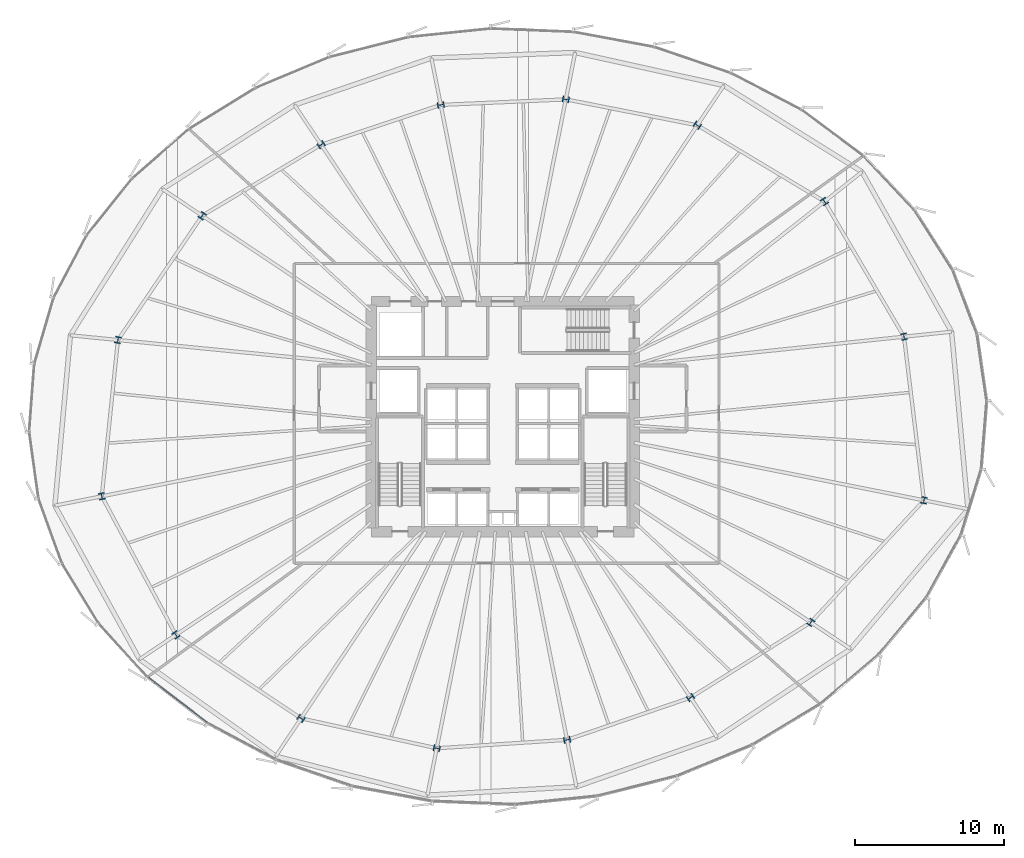
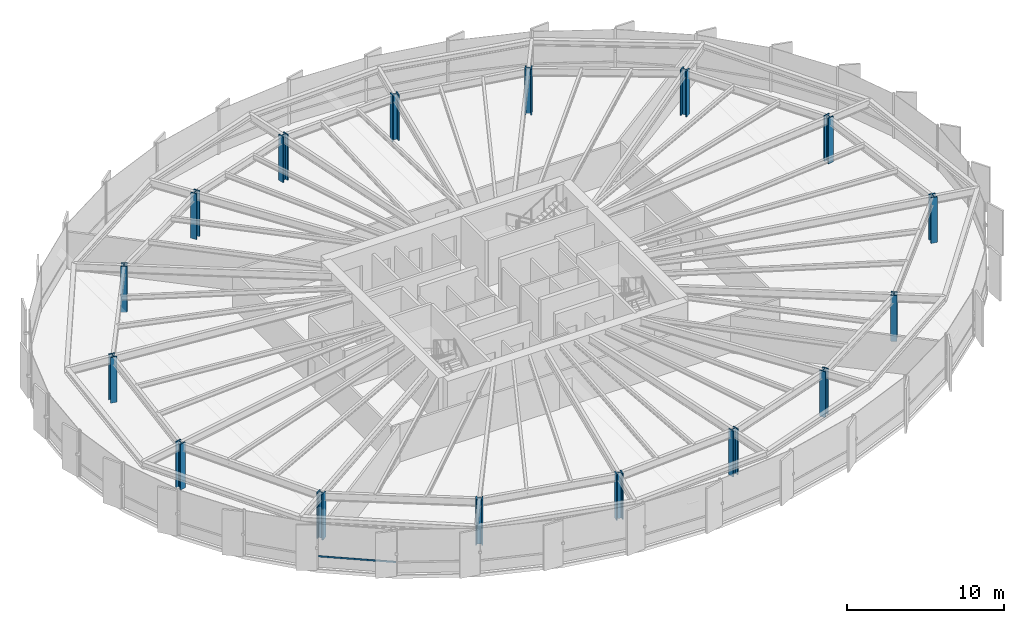
# One storey, part 1 of 42: 16 columns, 1 member, 1 element without a shape of its own.
"""IFC4 building model written with IfcOpenShell, lengths in metres."""

from ifc_helpers import new_model, si_unit, direction, frame, origin, origin_2d, place, context, subcontext, project, spatial, hollow_rectangle, i_section, extrude, source, transform, mapped, material, layer, layer_set, material_profile, profile_set, type_object, element, aggregate, save


model = new_model("IFC4")

# Units and contexts
model_context = context("Model", 3, precision=1e-05, world=origin(), true_north=direction((0.0, 1.0)))
body_context = subcontext(model_context, "Body", "Model", "MODEL_VIEW")
ifc_project = project(units=[si_unit("LENGTHUNIT", "METRE"), si_unit("AREAUNIT", "SQUARE_METRE"), si_unit("VOLUMEUNIT", "CUBIC_METRE"), si_unit("PLANEANGLEUNIT", "RADIAN"), si_unit("MASSUNIT", "GRAM", prefix="KILO"), si_unit("THERMODYNAMICTEMPERATUREUNIT", "KELVIN")], contexts=[model_context])

# Site, building, storey
site_placement = place(None, origin())
site = spatial("IfcSite", under=ifc_project, at=site_placement, CompositionType="ELEMENT")
building_placement = place(site_placement, origin())
building = spatial("IfcBuilding", under=site, at=building_placement, Name="Kethvar Cultural Tower", CompositionType="ELEMENT")
storey_placement = place(building_placement, frame((0.0, 0.0, 37.199951171875)))
storey = spatial("IfcBuildingStorey", under=building, at=storey_placement, Name="L08", CompositionType="ELEMENT", Elevation=37.199951171875)

# Columns
ifc_material_1 = material(Name="Steel S460M", Category="steel")
ifc_material_profile_1 = material_profile(ifc_material_1, i_section(OverallWidth=0.423095703125, OverallDepth=0.468994140625, WebThickness=0.051025390625, FlangeThickness=0.0810546875, FilletRadius=0.014892578125, at=origin_2d()), Name="Steel S460M — HD400x1086")
ifc_profile_set_1 = profile_set([ifc_material_profile_1], Name="Steel S460M — HD400x1086")
column_type = type_object("IfcColumnType", Name="COL-HD1086", PredefinedType="COLUMN", material=ifc_profile_set_1)
shared_shape_1 = source(origin(), body_context, "Body", "SweptSolid", [
    extrude(i_section(OverallWidth=0.423095703125, OverallDepth=0.468994140625, WebThickness=0.051025390625, FlangeThickness=0.0810546875, FilletRadius=0.014892578125, at=origin_2d()), origin(), (0.0, 0.0, 1.0), 3.550048828125),
])
for number, where, z_axis, x_axis, name in (
    (1, (73.65673828125, 33.14208984375, 0.0), (0.0, 0.0, 1.0), (0.980785280403, 0.195090322016, 0.0), "L08 Mega-Column MC-01"),
    (2, (68.33642578125, 42.190185546875, 0.0), (0.0, 0.0, 1.0), (0.831469612303, 0.55557023302, 0.0), "L08 Mega-Column MC-02"),
    (3, (59.824951171875, 47.293212890625, 0.0), (0.0, 0.0, 1.0), (0.55557023302, 0.831469612303, 0.0), "L08 Mega-Column MC-03"),
    (4, (51.022216796875, 49.02587890625, 0.0), (0.0, 0.0, 1.0), (0.195090322016, 0.980785280403, 0.0), "L08 Mega-Column MC-04"),
    (5, (42.651611328125, 48.65576171875, 0.0), (0.0, 0.0, 1.0), (-0.195090322016, 0.980785280403, 0.0), "L08 Mega-Column MC-05"),
    (6, (34.64599609375, 45.98974609375, 0.0), (0.0, 0.0, 1.0), (-0.55557023302, 0.831469612303, 0.0), "L08 Mega-Column MC-06"),
    (7, (26.6845703125, 41.24072265625, 0.0), (0.0, 0.0, 1.0), (-0.831469612303, 0.55557023302, 0.0), "L08 Mega-Column MC-07"),
    (8, (21.047119140625, 32.922607421875, 0.0), (0.0, 0.0, 1.0), (-0.980785280403, 0.195090322016, 0.0), "L08 Mega-Column MC-08"),
    (9, (19.9658203125, 22.46240234375, 0.0), (0.0, 0.0, 1.0), (-0.980785280403, -0.195090322016, 0.0), "L08 Mega-Column MC-09"),
    (10, (24.9248046875, 13.183349609375, 0.0), (0.0, 0.0, 1.0), (-0.831469612303, -0.55557023302, 0.0), "L08 Mega-Column MC-10"),
    (11, (33.302001953125, 7.598876953125, 0.0), (0.0, 0.0, 1.0), (-0.55557023302, -0.831469612303, 0.0), "L08 Mega-Column MC-11"),
    (12, (42.38330078125, 5.59619140625, 0.0), (0.0, 0.0, 1.0), (-0.195090322016, -0.980785280403, 0.0), "L08 Mega-Column MC-12"),
    (13, (51.10400390625, 6.16259765625, 0.0), (0.0, 0.0, 1.0), (0.195090322016, -0.980785280403, 0.0), "L08 Mega-Column MC-13"),
    (14, (59.370361328125, 8.987060546875, 0.0), (0.0, 0.0, 1.0), (0.55557023302, -0.831469612303, 0.0), "L08 Mega-Column MC-14"),
    (15, (67.41845703125, 14.023193359375, 0.0), (0.0, 0.0, 1.0), (0.831469612303, -0.55557023302, 0.0), "L08 Mega-Column MC-15"),
    (16, (74.9912109375, 22.1923828125, 0.0), (0.0, 0.0, 1.0), (0.980785280403, -0.195090322016, 0.0), "L08 Mega-Column MC-16"),
):
    element("IfcColumn", number, at=place(storey_placement, frame(where, z_axis=z_axis, x_axis=x_axis)), inside=storey, type_object=column_type, Name=name, PredefinedType="COLUMN", context=body_context, shape_type="MappedRepresentation", body=[
        mapped(shared_shape_1, transform((0.0, 0.0, 0.0), scale=1.0)),
    ])

# Curtain wall, member
ifc_material_2 = material(Name="Aluminium 6063-T6", Category="aluminium")
ifc_layer = layer(ifc_material_2, 0.179931640625, Name="Aluminium 6063-T6", Category="aluminium")
ifc_layer_set = layer_set([ifc_layer], Name="Aluminium 6063-T6 (180 mm)")
curtain_wall_type = type_object("IfcCurtainWallType", Name="CW-SYS-02-Z1", PredefinedType="NOTDEFINED", material=ifc_layer_set)
curtain_wall_placement = place(storey_placement, origin())
curtain_wall = element("IfcCurtainWall", 17, at=curtain_wall_placement, inside=storey, type_object=curtain_wall_type, Name="L08 Curtain Wall Run 04", PredefinedType="NOTDEFINED")
ifc_material_profile_2 = material_profile(ifc_material_2, hollow_rectangle(XDim=0.054931640625, YDim=0.1201171875, WallThickness=0.00390625, at=origin_2d()), Name="Aluminium 6063-T6 — RHS120x55x4")
ifc_profile_set_2 = profile_set([ifc_material_profile_2], Name="Aluminium 6063-T6 — RHS120x55x4")
member_type = type_object("IfcMemberType", Name="CW-SYS-02-Z1-TRN", PredefinedType="USERDEFINED", material=ifc_profile_set_2)
shared_shape_2 = source(origin(), body_context, "Body", "SweptSolid", [
    extrude(hollow_rectangle(XDim=0.054931640625, YDim=0.1201171875, WallThickness=0.00390625, at=origin_2d()), origin(), (0.0, 0.0, 1.0), 4.977294921875),
])
member_placement = place(storey_placement, frame((23.075927734375, 10.34375, 0.949951171875), z_axis=(0.792899246797, -0.609352758612, 0.0), x_axis=(0.609352758612, 0.792899246797, 0.0)))
member = element("IfcMember", 18, at=member_placement, type_object=member_type, Name="CW-L08-R04 Transom 5", ObjectType="TRANSOM", PredefinedType="USERDEFINED", context=body_context, shape_type="MappedRepresentation", body=[
    mapped(shared_shape_2, transform((0.0, 0.0, 0.0), scale=1.0)),
])
aggregate(curtain_wall, [member])

save(model, "model.ifc")
